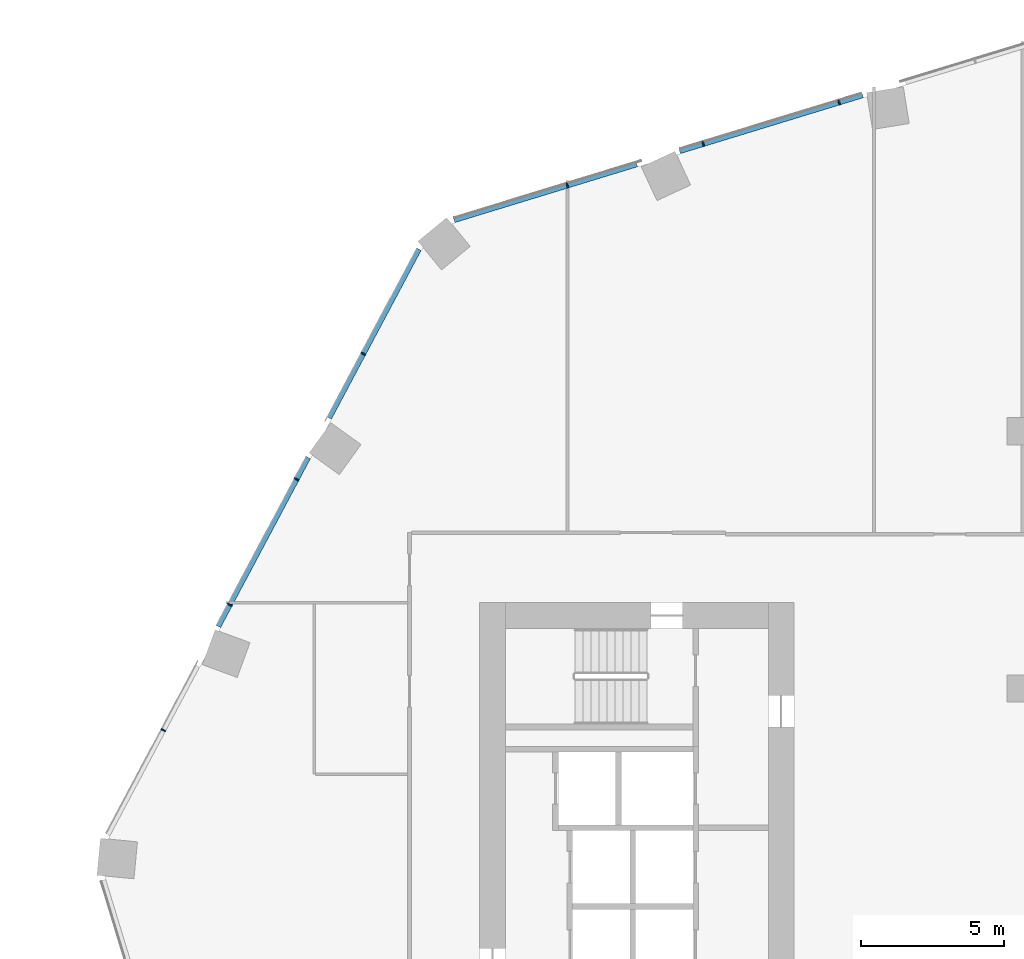
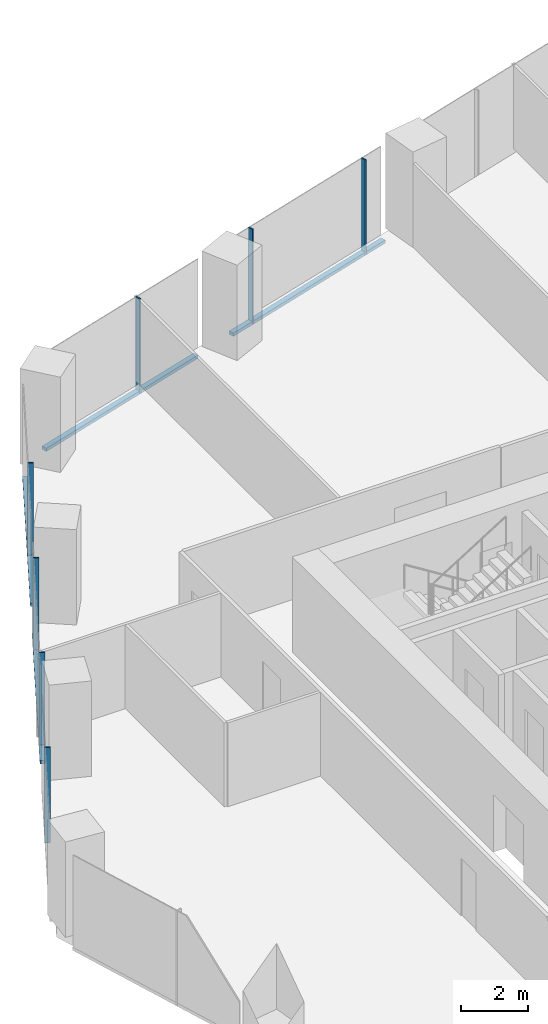
# One storey, part 11 of 31: 11 members, 2 elements without a shape of their own.
"""IFC4 building model written with IfcOpenShell, lengths in metres."""

import ifcopenshell
import ifcopenshell.guid

model = None  # the IFC model being written
_history = None  # IfcOwnerHistory: only IFC2X3 demands one
_inside = {}  # id of a spatial element -> (the spatial element, [elements in it])
_under = {}  # id of a project, library or spatial element -> (it, [spatial elements below it])
_declared = {}  # id of a project -> (the project, [libraries it declares])
_typed = {}  # id of a type object -> (the type object, [elements of that type])
_made_of = {}  # id of a material, layer set ... -> (it, [elements and type objects made of it])


def new_model(schema):
    """Start an empty IFC model of exactly this schema.

    Asked for "IFC4X3", IfcOpenShell would pick the latest addendum, in which some entities
    have other attributes; the version numbers below select the first issue.
    IFC2X3 requires an IfcOwnerHistory on every rooted entity: one is made here for all.
    """
    global model, _history
    if schema == "IFC4X3":
        model = ifcopenshell.file(schema_version=(4, 3, 0, 0))
    else:
        model = ifcopenshell.file(schema=schema)
    _inside.clear()
    _under.clear()
    _declared.clear()
    _typed.clear()
    _made_of.clear()
    _history = None
    if model.schema == "IFC2X3":
        org = make("IfcOrganization", Name="unknown")
        user = make(
            "IfcPersonAndOrganization",
            ThePerson=make("IfcPerson", FamilyName="unknown"),
            TheOrganization=org,
        )
        app = make(
            "IfcApplication",
            ApplicationDeveloper=org,
            Version="unknown",
            ApplicationFullName="unknown",
            ApplicationIdentifier="unknown",
        )
        _history = make(
            "IfcOwnerHistory",
            OwningUser=user,
            OwningApplication=app,
            ChangeAction="ADDED",
            CreationDate=0,
        )
    return model


def make(cls, **values):
    """One entity of the class cls with the attributes given. An attribute that is None is left unset."""
    return model.create_entity(
        cls, **{name: value for name, value in values.items() if value is not None}
    )


def rooted(cls, **values):
    """An entity with a GlobalId (a new one), such as an element, a storey or a relation."""
    return make(cls, GlobalId=ifcopenshell.guid.new(), OwnerHistory=_history, **values)


def si_unit(unit_type, name, prefix=None):
    """IfcSIUnit, for example si_unit("LENGTHUNIT", "METRE", prefix="MILLI")."""
    return make("IfcSIUnit", UnitType=unit_type, Prefix=prefix, Name=name)


def assignment(units):
    """IfcUnitAssignment: the units of a project."""
    return None if units is None else make("IfcUnitAssignment", Units=units)


def point(xyz):
    """IfcCartesianPoint."""
    return None if xyz is None else make("IfcCartesianPoint", Coordinates=xyz)


def direction(xyz):
    """IfcDirection."""
    return None if xyz is None else make("IfcDirection", DirectionRatios=xyz)


def frame(location, z_axis=None, x_axis=None):
    """IfcAxis2Placement3D, a coordinate frame: its origin and axes. An axis left out is left unset."""
    return make(
        "IfcAxis2Placement3D",
        Location=point(location),
        Axis=direction(z_axis),
        RefDirection=direction(x_axis),
    )


def frame_2d(location, x_axis=None):
    """IfcAxis2Placement2D, a coordinate frame in the plane: its origin and x axis."""
    return make(
        "IfcAxis2Placement2D", Location=point(location), RefDirection=direction(x_axis)
    )


def origin():
    """The frame at (0, 0, 0) with its axes left unset."""
    return frame((0.0, 0.0, 0.0))


def origin_2d():
    """The frame at (0, 0) in the plane with its x axis left unset."""
    return frame_2d((0.0, 0.0))


def place(relative_to, where):
    """IfcLocalPlacement: puts the frame where relative to a parent placement (None: the world)."""
    return make(
        "IfcLocalPlacement", PlacementRelTo=relative_to, RelativePlacement=where
    )


def context(
    kind, dimensions, precision=None, world=None, true_north=None, identifier=None
):
    """IfcGeometricRepresentationContext, for example the 3D "Model" context."""
    return make(
        "IfcGeometricRepresentationContext",
        ContextIdentifier=identifier,
        ContextType=kind,
        CoordinateSpaceDimension=dimensions,
        Precision=precision,
        WorldCoordinateSystem=world,
        TrueNorth=true_north,
    )


def subcontext(parent, identifier, kind, view, scale=None):
    """IfcGeometricRepresentationSubContext, for example "Body" below "Model"."""
    return make(
        "IfcGeometricRepresentationSubContext",
        ContextIdentifier=identifier,
        ContextType=kind,
        ParentContext=parent,
        TargetScale=scale,
        TargetView=view,
    )


def project(units=None, contexts=None):
    """IfcProject with its units and contexts."""
    return rooted(
        "IfcProject",
        Name="project",
        RepresentationContexts=contexts,
        UnitsInContext=assignment(units),
    )


def spatial(cls, under=None, at=None, **own):
    """A site, building, storey or space (cls), placed at a placement, below another one or the project."""
    s = rooted(cls, ObjectPlacement=at, **own)
    if under is not None:
        _under.setdefault(under.id(), (under, []))[1].append(s)
    return s


def profile(cls, at=None, kind="AREA", **sizes):
    """A parametric profile (cls). Its sizes go by their IFC names, for example OverallWidth=200.0."""
    return make(cls, ProfileType=kind, Position=at, **sizes)


def rectangle(**sizes):
    """IfcRectangleProfileDef."""
    return profile("IfcRectangleProfileDef", **sizes)


def extrude(swept, where, along, depth):
    """IfcExtrudedAreaSolid: the profile swept, set in the frame where, extruded along a direction by depth."""
    return make(
        "IfcExtrudedAreaSolid",
        SweptArea=swept,
        Position=where,
        ExtrudedDirection=direction(along),
        Depth=depth,
    )


def shape(context_of_items, identifier, shape_type, items):
    """IfcShapeRepresentation: the items that make up one representation, for example the "Body"."""
    return make(
        "IfcShapeRepresentation",
        ContextOfItems=context_of_items,
        RepresentationIdentifier=identifier,
        RepresentationType=shape_type,
        Items=items,
    )


def material(Name=None, Category=None):
    """IfcMaterial."""
    return make("IfcMaterial", Name=Name, Category=Category)


def material_profile(
    of_material, cross_section, Name=None, Category=None, Priority=None
):
    """IfcMaterialProfile: a cross section and its material."""
    return make(
        "IfcMaterialProfile",
        Name=Name,
        Material=of_material,
        Profile=cross_section,
        Priority=Priority,
        Category=Category,
    )


def profile_set(profiles, Name=None, composite=None):
    """IfcMaterialProfileSet."""
    return make(
        "IfcMaterialProfileSet",
        Name=Name,
        MaterialProfiles=profiles,
        CompositeProfile=composite,
    )


def made_of(thing, what):
    """Note that an element or type object is made of a material, layer set ...; save() writes the relation."""
    if what is not None:
        _made_of.setdefault(what.id(), (what, []))[1].append(thing)
    return thing


def type_object(cls, material=None, **own):
    """A type object (cls), such as IfcWallType, which elements share."""
    return made_of(rooted(cls, **own), material)


def element(
    cls,
    number,
    at=None,
    inside=None,
    cuts=None,
    type_object=None,
    material=None,
    context=None,
    identifier="Body",
    shape_type=None,
    held_by="IfcProductDefinitionShape",
    body=None,
    shapes=None,
    **own,
):
    """One element of the class cls, such as IfcWall. Its Tag is "e" and its number.

    at: its placement. inside: the storey or other place that contains it. cuts: it is an
    opening in that element (IfcRelVoidsElement). A single representation is given by context,
    identifier, shape_type and body (its items); several are given by shapes. held_by: the class
    of the entity that holds the representations. save() writes the other relations.
    """
    e = rooted(cls, Tag="e%d" % number, ObjectPlacement=at, **own)
    if body is not None:
        shapes = [shape(context, identifier, shape_type, body)]
    if shapes is not None:
        e.Representation = make(held_by, Representations=shapes)
    if inside is not None:
        _inside.setdefault(inside.id(), (inside, []))[1].append(e)
    if cuts is not None:
        rooted(
            "IfcRelVoidsElement", RelatingBuildingElement=cuts, RelatedOpeningElement=e
        )
    if type_object is not None:
        _typed.setdefault(type_object.id(), (type_object, []))[1].append(e)
    return made_of(e, material)


def aggregate(whole, parts):
    """IfcRelAggregates: a whole, such as a stair, and the parts it consists of."""
    return rooted("IfcRelAggregates", RelatingObject=whole, RelatedObjects=parts)


def save(model, path):
    """Write the relations noted so far, then the file.

    IfcRelAggregates (storeys below a building ...), IfcRelContainedInSpatialStructure (elements
    in a storey), IfcRelDefinesByType, IfcRelAssociatesMaterial and IfcRelDeclares: one each for
    every whole, place, type object, material and project.
    """
    for whole, parts in _under.values():
        aggregate(whole, parts)
    for where, things in _inside.values():
        rooted(
            "IfcRelContainedInSpatialStructure",
            RelatedElements=things,
            RelatingStructure=where,
        )
    for kind, things in _typed.values():
        rooted("IfcRelDefinesByType", RelatedObjects=things, RelatingType=kind)
    for what, things in _made_of.values():
        rooted("IfcRelAssociatesMaterial", RelatedObjects=things, RelatingMaterial=what)
    for by, libraries in _declared.values():
        rooted("IfcRelDeclares", RelatingContext=by, RelatedDefinitions=libraries)
    model.write(path)


model = new_model("IFC4")

# Units and contexts
model_context = context("Model", 3, precision=1e-05, world=origin(), true_north=direction((0.0, 1.0)))
body_context = subcontext(model_context, "Body", "Model", "MODEL_VIEW")
ifc_project = project(units=[si_unit("LENGTHUNIT", "METRE"), si_unit("AREAUNIT", "SQUARE_METRE"), si_unit("VOLUMEUNIT", "CUBIC_METRE"), si_unit("PLANEANGLEUNIT", "RADIAN"), si_unit("MASSUNIT", "GRAM", prefix="KILO")], contexts=[model_context])

# Site, building, storey
site_placement = place(None, origin())
site = spatial("IfcSite", under=ifc_project, at=site_placement, CompositionType="ELEMENT")
building_placement = place(site_placement, origin())
building = spatial("IfcBuilding", under=site, at=building_placement, Name="Orlundy Tower", CompositionType="ELEMENT")
storey_placement = place(building_placement, frame((0.0, 0.0, 87.699951171875)))
storey = spatial("IfcBuildingStorey", under=building, at=storey_placement, Name="L21", CompositionType="ELEMENT", Elevation=87.699951171875)

# Curtain wall, members
ifc_material_1 = material(Name="Aluminium bronze anodised", Category="aluminium")
curtain_wall_type = type_object("IfcCurtainWallType", Name="CW1 wall", PredefinedType="NOTDEFINED", material=ifc_material_1)
curtain_wall_1_placement = place(storey_placement, origin())
curtain_wall_1 = element("IfcCurtainWall", 1, at=curtain_wall_1_placement, inside=storey, type_object=curtain_wall_type, Name="CW1 run 02", PredefinedType="NOTDEFINED")
ifc_material_2 = material(Name="Aluminium bronze anodised", Category="aluminium")
ifc_material_profile_1 = material_profile(ifc_material_2, rectangle(XDim=0.179931640625, YDim=0.050048828125, at=origin_2d()), Name="CW1 mullion 50x180")
ifc_profile_set_1 = profile_set([ifc_material_profile_1], Name="Aluminium bronze anodised")
member_type_1 = type_object("IfcMemberType", Name="CW1 mullion 50x180", PredefinedType="MULLION", material=ifc_profile_set_1)
member_1_placement = place(storey_placement, frame((-30.068115234375, 7.54296875, -0.39990234375), z_axis=(0.0, 0.0, 1.0), x_axis=(-0.882961465544, 0.469445471129, 0.0)))
member_1 = element("IfcMember", 2, at=member_1_placement, type_object=member_type_1, Name="CW1 mullion 10", PredefinedType="MULLION", context=body_context, shape_type="SweptSolid", body=[
    extrude(rectangle(XDim=0.179931640625, YDim=0.050048828125, at=origin_2d()), origin(), (0.0, 0.0, 1.0), 3.5),
])
member_2_placement = place(storey_placement, frame((-27.734619140625, 11.931884765625, -0.39990234375), z_axis=(0.0, 0.0, 1.0), x_axis=(-0.882961465544, 0.469445471129, 0.0)))
member_2 = element("IfcMember", 3, at=member_2_placement, type_object=member_type_1, Name="CW1 mullion 11", PredefinedType="MULLION", context=body_context, shape_type="SweptSolid", body=[
    extrude(rectangle(XDim=0.179931640625, YDim=0.050048828125, at=origin_2d()), origin(), (0.0, 0.0, 1.0), 3.5),
])
member_3_placement = place(storey_placement, frame((-25.4013671875, 16.320556640625, -0.39990234375), z_axis=(0.0, 0.0, 1.0), x_axis=(-0.882961465544, 0.469445471129, 0.0)))
member_3 = element("IfcMember", 4, at=member_3_placement, type_object=member_type_1, Name="CW1 mullion 12", PredefinedType="MULLION", context=body_context, shape_type="SweptSolid", body=[
    extrude(rectangle(XDim=0.179931640625, YDim=0.050048828125, at=origin_2d()), origin(), (0.0, 0.0, 1.0), 3.5),
])
member_4_placement = place(storey_placement, frame((-23.06787109375, 20.70947265625, -0.39990234375), z_axis=(0.0, 0.0, 1.0), x_axis=(-0.882961465544, 0.469445471129, 0.0)))
member_4 = element("IfcMember", 5, at=member_4_placement, type_object=member_type_1, Name="CW1 mullion 13", PredefinedType="MULLION", context=body_context, shape_type="SweptSolid", body=[
    extrude(rectangle(XDim=0.179931640625, YDim=0.050048828125, at=origin_2d()), origin(), (0.0, 0.0, 1.0), 3.5),
])

curtain_wall_2_placement = place(storey_placement, origin())
curtain_wall_2 = element("IfcCurtainWall", 6, at=curtain_wall_2_placement, inside=storey, type_object=curtain_wall_type, Name="CW1 run 03", PredefinedType="NOTDEFINED")
member_5_placement = place(storey_placement, frame((-15.927978515625, 26.59521484375, -0.39990234375), z_axis=(0.0, 0.0, 1.0), x_axis=(-0.292360624804, 0.956308143364, 0.0)))
member_5 = element("IfcMember", 7, at=member_5_placement, type_object=member_type_1, Name="CW1 mullion 15", PredefinedType="MULLION", context=body_context, shape_type="SweptSolid", body=[
    extrude(rectangle(XDim=0.179931640625, YDim=0.050048828125, at=origin_2d()), origin(), (0.0, 0.0, 1.0), 3.5),
])
member_6_placement = place(storey_placement, frame((-11.174560546875, 28.048583984375, -0.39990234375), z_axis=(0.0, 0.0, 1.0), x_axis=(-0.292360624804, 0.956308143364, 0.0)))
member_6 = element("IfcMember", 8, at=member_6_placement, type_object=member_type_1, Name="CW1 mullion 16", PredefinedType="MULLION", context=body_context, shape_type="SweptSolid", body=[
    extrude(rectangle(XDim=0.179931640625, YDim=0.050048828125, at=origin_2d()), origin(), (0.0, 0.0, 1.0), 3.5),
])
member_7_placement = place(storey_placement, frame((-6.421142578125, 29.501708984375, -0.39990234375), z_axis=(0.0, 0.0, 1.0), x_axis=(-0.292360624804, 0.956308143364, 0.0)))
member_7 = element("IfcMember", 9, at=member_7_placement, type_object=member_type_1, Name="CW1 mullion 17", PredefinedType="MULLION", context=body_context, shape_type="SweptSolid", body=[
    extrude(rectangle(XDim=0.179931640625, YDim=0.050048828125, at=origin_2d()), origin(), (0.0, 0.0, 1.0), 3.5),
])

# Member
ifc_material_3 = material(Name="Aluminium bronze anodised", Category="aluminium")
ifc_material_profile_2 = material_profile(ifc_material_3, rectangle(XDim=0.179931640625, YDim=0.1201171875, at=origin_2d()), Name="CW1 transom 180x120")
ifc_profile_set_2 = profile_set([ifc_material_profile_2], Name="Aluminium bronze anodised")
member_type_2 = type_object("IfcMemberType", Name="CW1 transom 180x120", PredefinedType="USERDEFINED", material=ifc_profile_set_2)
member_8_placement = place(storey_placement, frame((-28.13916015625, 11.1708984375, -0.33984375), z_axis=(0.469421843638, 0.882974027203, 0.0), x_axis=(-0.882974027203, 0.469421843638, 0.0)))
member_8 = element("IfcMember", 10, at=member_8_placement, type_object=member_type_2, Name="CW1 transom", ObjectType="TRANSOM", PredefinedType="USERDEFINED", context=body_context, shape_type="SweptSolid", body=[
    extrude(rectangle(XDim=0.179931640625, YDim=0.1201171875, at=origin_2d()), origin(), (0.0, 0.0, 1.0), 6.694580078125),
])

member_9_placement = place(storey_placement, frame((-24.261962890625, 18.46337890625, -0.33984375), z_axis=(0.469433727662, 0.882967709111, 0.0), x_axis=(-0.882967709111, 0.469433727662, 0.0)))
member_9 = element("IfcMember", 11, at=member_9_placement, type_object=member_type_2, Name="CW1 transom", ObjectType="TRANSOM", PredefinedType="USERDEFINED", context=body_context, shape_type="SweptSolid", body=[
    extrude(rectangle(XDim=0.179931640625, YDim=0.1201171875, at=origin_2d()), origin(), (0.0, 0.0, 1.0), 6.6865234375),
])

aggregate(curtain_wall_1, [member_1, member_2, member_3, member_4, member_8, member_9])

member_10_placement = place(storey_placement, frame((-19.88818359375, 25.384521484375, -0.33984375), z_axis=(0.956312991932, 0.292344764725, 0.0), x_axis=(-0.292344764725, 0.956312991932, 0.0)))
member_10 = element("IfcMember", 12, at=member_10_placement, type_object=member_type_2, Name="CW1 transom", ObjectType="TRANSOM", PredefinedType="USERDEFINED", context=body_context, shape_type="SweptSolid", body=[
    extrude(rectangle(XDim=0.179931640625, YDim=0.1201171875, at=origin_2d()), origin(), (0.0, 0.0, 1.0), 6.6826171875),
])

member_11_placement = place(storey_placement, frame((-11.998291015625, 27.796630859375, -0.33984375), z_axis=(0.956307391667, 0.292363083585, 0.0), x_axis=(-0.292363083585, 0.956307391667, 0.0)))
member_11 = element("IfcMember", 13, at=member_11_placement, type_object=member_type_2, Name="CW1 transom", ObjectType="TRANSOM", PredefinedType="USERDEFINED", context=body_context, shape_type="SweptSolid", body=[
    extrude(rectangle(XDim=0.179931640625, YDim=0.1201171875, at=origin_2d()), origin(), (0.0, 0.0, 1.0), 6.69384765625),
])

aggregate(curtain_wall_2, [member_5, member_6, member_7, member_10, member_11])

save(model, "model.ifc")
